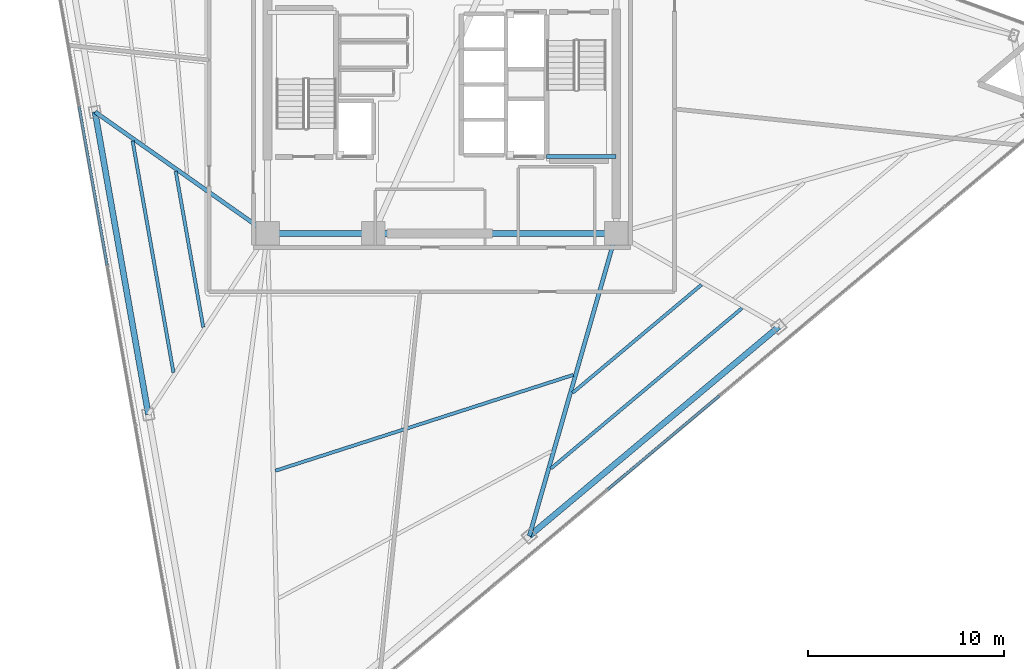
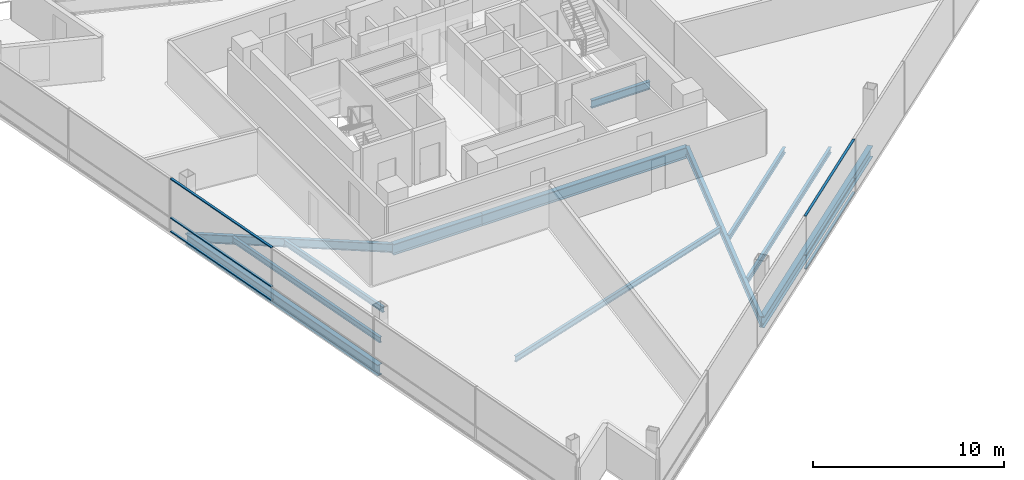
# One storey, part 3 of 17: 12 beams, 6 members, 2 elements without a shape of their own.
"""IFC4 building model written with IfcOpenShell, lengths in metres."""

import ifcopenshell
import ifcopenshell.guid

model = None  # the IFC model being written
_history = None  # IfcOwnerHistory: only IFC2X3 demands one
_inside = {}  # id of a spatial element -> (the spatial element, [elements in it])
_under = {}  # id of a project, library or spatial element -> (it, [spatial elements below it])
_declared = {}  # id of a project -> (the project, [libraries it declares])
_typed = {}  # id of a type object -> (the type object, [elements of that type])
_made_of = {}  # id of a material, layer set ... -> (it, [elements and type objects made of it])


def new_model(schema):
    """Start an empty IFC model of exactly this schema.

    Asked for "IFC4X3", IfcOpenShell would pick the latest addendum, in which some entities
    have other attributes; the version numbers below select the first issue.
    IFC2X3 requires an IfcOwnerHistory on every rooted entity: one is made here for all.
    """
    global model, _history
    if schema == "IFC4X3":
        model = ifcopenshell.file(schema_version=(4, 3, 0, 0))
    else:
        model = ifcopenshell.file(schema=schema)
    _inside.clear()
    _under.clear()
    _declared.clear()
    _typed.clear()
    _made_of.clear()
    _history = None
    if model.schema == "IFC2X3":
        org = make("IfcOrganization", Name="unknown")
        user = make(
            "IfcPersonAndOrganization",
            ThePerson=make("IfcPerson", FamilyName="unknown"),
            TheOrganization=org,
        )
        app = make(
            "IfcApplication",
            ApplicationDeveloper=org,
            Version="unknown",
            ApplicationFullName="unknown",
            ApplicationIdentifier="unknown",
        )
        _history = make(
            "IfcOwnerHistory",
            OwningUser=user,
            OwningApplication=app,
            ChangeAction="ADDED",
            CreationDate=0,
        )
    return model


def make(cls, **values):
    """One entity of the class cls with the attributes given. An attribute that is None is left unset."""
    return model.create_entity(
        cls, **{name: value for name, value in values.items() if value is not None}
    )


def rooted(cls, **values):
    """An entity with a GlobalId (a new one), such as an element, a storey or a relation."""
    return make(cls, GlobalId=ifcopenshell.guid.new(), OwnerHistory=_history, **values)


def si_unit(unit_type, name, prefix=None):
    """IfcSIUnit, for example si_unit("LENGTHUNIT", "METRE", prefix="MILLI")."""
    return make("IfcSIUnit", UnitType=unit_type, Prefix=prefix, Name=name)


def assignment(units):
    """IfcUnitAssignment: the units of a project."""
    return None if units is None else make("IfcUnitAssignment", Units=units)


def point(xyz):
    """IfcCartesianPoint."""
    return None if xyz is None else make("IfcCartesianPoint", Coordinates=xyz)


def direction(xyz):
    """IfcDirection."""
    return None if xyz is None else make("IfcDirection", DirectionRatios=xyz)


def frame(location, z_axis=None, x_axis=None):
    """IfcAxis2Placement3D, a coordinate frame: its origin and axes. An axis left out is left unset."""
    return make(
        "IfcAxis2Placement3D",
        Location=point(location),
        Axis=direction(z_axis),
        RefDirection=direction(x_axis),
    )


def frame_2d(location, x_axis=None):
    """IfcAxis2Placement2D, a coordinate frame in the plane: its origin and x axis."""
    return make(
        "IfcAxis2Placement2D", Location=point(location), RefDirection=direction(x_axis)
    )


def origin():
    """The frame at (0, 0, 0) with its axes left unset."""
    return frame((0.0, 0.0, 0.0))


def origin_2d():
    """The frame at (0, 0) in the plane with its x axis left unset."""
    return frame_2d((0.0, 0.0))


def place(relative_to, where):
    """IfcLocalPlacement: puts the frame where relative to a parent placement (None: the world)."""
    return make(
        "IfcLocalPlacement", PlacementRelTo=relative_to, RelativePlacement=where
    )


def context(
    kind, dimensions, precision=None, world=None, true_north=None, identifier=None
):
    """IfcGeometricRepresentationContext, for example the 3D "Model" context."""
    return make(
        "IfcGeometricRepresentationContext",
        ContextIdentifier=identifier,
        ContextType=kind,
        CoordinateSpaceDimension=dimensions,
        Precision=precision,
        WorldCoordinateSystem=world,
        TrueNorth=true_north,
    )


def subcontext(parent, identifier, kind, view, scale=None):
    """IfcGeometricRepresentationSubContext, for example "Body" below "Model"."""
    return make(
        "IfcGeometricRepresentationSubContext",
        ContextIdentifier=identifier,
        ContextType=kind,
        ParentContext=parent,
        TargetScale=scale,
        TargetView=view,
    )


def project(units=None, contexts=None):
    """IfcProject with its units and contexts."""
    return rooted(
        "IfcProject",
        Name="project",
        RepresentationContexts=contexts,
        UnitsInContext=assignment(units),
    )


def spatial(cls, under=None, at=None, **own):
    """A site, building, storey or space (cls), placed at a placement, below another one or the project."""
    s = rooted(cls, ObjectPlacement=at, **own)
    if under is not None:
        _under.setdefault(under.id(), (under, []))[1].append(s)
    return s


def profile(cls, at=None, kind="AREA", **sizes):
    """A parametric profile (cls). Its sizes go by their IFC names, for example OverallWidth=200.0."""
    return make(cls, ProfileType=kind, Position=at, **sizes)


def rectangle(**sizes):
    """IfcRectangleProfileDef."""
    return profile("IfcRectangleProfileDef", **sizes)


def i_section(**sizes):
    """IfcIShapeProfileDef."""
    return profile("IfcIShapeProfileDef", **sizes)


def extrude(swept, where, along, depth):
    """IfcExtrudedAreaSolid: the profile swept, set in the frame where, extruded along a direction by depth."""
    return make(
        "IfcExtrudedAreaSolid",
        SweptArea=swept,
        Position=where,
        ExtrudedDirection=direction(along),
        Depth=depth,
    )


def shape(context_of_items, identifier, shape_type, items):
    """IfcShapeRepresentation: the items that make up one representation, for example the "Body"."""
    return make(
        "IfcShapeRepresentation",
        ContextOfItems=context_of_items,
        RepresentationIdentifier=identifier,
        RepresentationType=shape_type,
        Items=items,
    )


def material(Name=None, Category=None):
    """IfcMaterial."""
    return make("IfcMaterial", Name=Name, Category=Category)


def layer(
    of_material, thickness, ventilated=None, Name=None, Category=None, Priority=None
):
    """IfcMaterialLayer: one layer of a wall or slab, of a material (None: an air gap)."""
    return make(
        "IfcMaterialLayer",
        Material=of_material,
        LayerThickness=thickness,
        IsVentilated=ventilated,
        Name=Name,
        Category=Category,
        Priority=Priority,
    )


def layer_set(layers, Name=None):
    """IfcMaterialLayerSet."""
    return make("IfcMaterialLayerSet", MaterialLayers=layers, LayerSetName=Name)


def material_profile(
    of_material, cross_section, Name=None, Category=None, Priority=None
):
    """IfcMaterialProfile: a cross section and its material."""
    return make(
        "IfcMaterialProfile",
        Name=Name,
        Material=of_material,
        Profile=cross_section,
        Priority=Priority,
        Category=Category,
    )


def profile_set(profiles, Name=None, composite=None):
    """IfcMaterialProfileSet."""
    return make(
        "IfcMaterialProfileSet",
        Name=Name,
        MaterialProfiles=profiles,
        CompositeProfile=composite,
    )


def made_of(thing, what):
    """Note that an element or type object is made of a material, layer set ...; save() writes the relation."""
    if what is not None:
        _made_of.setdefault(what.id(), (what, []))[1].append(thing)
    return thing


def type_object(cls, material=None, **own):
    """A type object (cls), such as IfcWallType, which elements share."""
    return made_of(rooted(cls, **own), material)


def element(
    cls,
    number,
    at=None,
    inside=None,
    cuts=None,
    type_object=None,
    material=None,
    context=None,
    identifier="Body",
    shape_type=None,
    held_by="IfcProductDefinitionShape",
    body=None,
    shapes=None,
    **own,
):
    """One element of the class cls, such as IfcWall. Its Tag is "e" and its number.

    at: its placement. inside: the storey or other place that contains it. cuts: it is an
    opening in that element (IfcRelVoidsElement). A single representation is given by context,
    identifier, shape_type and body (its items); several are given by shapes. held_by: the class
    of the entity that holds the representations. save() writes the other relations.
    """
    e = rooted(cls, Tag="e%d" % number, ObjectPlacement=at, **own)
    if body is not None:
        shapes = [shape(context, identifier, shape_type, body)]
    if shapes is not None:
        e.Representation = make(held_by, Representations=shapes)
    if inside is not None:
        _inside.setdefault(inside.id(), (inside, []))[1].append(e)
    if cuts is not None:
        rooted(
            "IfcRelVoidsElement", RelatingBuildingElement=cuts, RelatedOpeningElement=e
        )
    if type_object is not None:
        _typed.setdefault(type_object.id(), (type_object, []))[1].append(e)
    return made_of(e, material)


def aggregate(whole, parts):
    """IfcRelAggregates: a whole, such as a stair, and the parts it consists of."""
    return rooted("IfcRelAggregates", RelatingObject=whole, RelatedObjects=parts)


def save(model, path):
    """Write the relations noted so far, then the file.

    IfcRelAggregates (storeys below a building ...), IfcRelContainedInSpatialStructure (elements
    in a storey), IfcRelDefinesByType, IfcRelAssociatesMaterial and IfcRelDeclares: one each for
    every whole, place, type object, material and project.
    """
    for whole, parts in _under.values():
        aggregate(whole, parts)
    for where, things in _inside.values():
        rooted(
            "IfcRelContainedInSpatialStructure",
            RelatedElements=things,
            RelatingStructure=where,
        )
    for kind, things in _typed.values():
        rooted("IfcRelDefinesByType", RelatedObjects=things, RelatingType=kind)
    for what, things in _made_of.values():
        rooted("IfcRelAssociatesMaterial", RelatedObjects=things, RelatingMaterial=what)
    for by, libraries in _declared.values():
        rooted("IfcRelDeclares", RelatingContext=by, RelatedDefinitions=libraries)
    model.write(path)


model = new_model("IFC4")

# Units and contexts
model_context = context("Model", 3, precision=1e-05, world=origin(), true_north=direction((0.0, 1.0)))
body_context = subcontext(model_context, "Body", "Model", "MODEL_VIEW")
ifc_project = project(units=[si_unit("LENGTHUNIT", "METRE"), si_unit("AREAUNIT", "SQUARE_METRE"), si_unit("VOLUMEUNIT", "CUBIC_METRE"), si_unit("PLANEANGLEUNIT", "RADIAN"), si_unit("MASSUNIT", "GRAM", prefix="KILO")], contexts=[model_context])

# Site, building, storey
site_placement = place(None, origin())
site = spatial("IfcSite", under=ifc_project, at=site_placement, CompositionType="ELEMENT")
building_placement = place(site_placement, origin())
building = spatial("IfcBuilding", under=site, at=building_placement, Name="Tharavind Bronze Gate", CompositionType="ELEMENT")
storey_placement = place(building_placement, frame((0.0, 0.0, 184.89990234375)))
storey = spatial("IfcBuildingStorey", under=building, at=storey_placement, Name="L47", CompositionType="ELEMENT", Elevation=184.89990234375)

# Curtain wall, members
ifc_material_1 = material(Name="Anodised Bronze Aluminium", Category="aluminium")
ifc_layer = layer(ifc_material_1, 0.219970703125)
ifc_layer_set = layer_set([ifc_layer], Name="Anodised Bronze Aluminium")
curtain_wall_type = type_object("IfcCurtainWallType", Name="UNITISED CURTAIN WALL MID OFFICE", PredefinedType="USERDEFINED", material=ifc_layer_set)
curtain_wall_1_placement = place(storey_placement, origin())
curtain_wall_1 = element("IfcCurtainWall", 1, at=curtain_wall_1_placement, inside=storey, type_object=curtain_wall_type, Name="L47 unitised curtain wall mid office CW-L47-S1", ObjectType="UNITISED CURTAIN WALL", PredefinedType="USERDEFINED")
member_type = type_object("IfcMemberType", Name="CURTAIN WALL BRONZE TRANSOM 65X140", PredefinedType="USERDEFINED", material=ifc_material_1)
member_1_placement = place(storey_placement, frame((-17.80517578125, -5.177001953125, 0.000244140625), z_axis=(0.0, 0.0, 1.0), x_axis=(0.173648177667, -0.984807753012, 0.0)))
member_1 = element("IfcMember", 2, at=member_1_placement, type_object=member_type, Name="CW-L47-S1 transom TB3", ObjectType="TRANSOM", PredefinedType="USERDEFINED", context=body_context, shape_type="SweptSolid", body=[
    extrude(rectangle(XDim=8.220458984375, YDim=0.139892578125, at=origin_2d()), origin(), (0.0, 0.0, 1.0), 0.06494140625),
])
member_2_placement = place(storey_placement, frame((-17.80517578125, -5.177001953125, 0.86767578125), z_axis=(0.0, 0.0, 1.0), x_axis=(0.173648177667, -0.984807753012, 0.0)))
member_2 = element("IfcMember", 3, at=member_2_placement, type_object=member_type, Name="CW-L47-S1 transom TS3", ObjectType="TRANSOM", PredefinedType="USERDEFINED", context=body_context, shape_type="SweptSolid", body=[
    extrude(rectangle(XDim=8.220458984375, YDim=0.139892578125, at=origin_2d()), origin(), (0.0, 0.0, 1.0), 0.06494140625),
])
member_3_placement = place(storey_placement, frame((-17.80517578125, -5.177001953125, 3.355224609375), z_axis=(0.0, 0.0, 1.0), x_axis=(0.173648177667, -0.984807753012, 0.0)))
member_3 = element("IfcMember", 4, at=member_3_placement, type_object=member_type, Name="CW-L47-S1 transom TT3", ObjectType="TRANSOM", PredefinedType="USERDEFINED", context=body_context, shape_type="SweptSolid", body=[
    extrude(rectangle(XDim=8.220458984375, YDim=0.139892578125, at=origin_2d()), origin(), (0.0, 0.0, 1.0), 0.06494140625),
])
aggregate(curtain_wall_1, [member_1, member_2, member_3])

curtain_wall_2_placement = place(storey_placement, origin())
curtain_wall_2 = element("IfcCurtainWall", 5, at=curtain_wall_2_placement, inside=storey, type_object=curtain_wall_type, Name="L47 unitised curtain wall mid office CW-L47-S2", ObjectType="UNITISED CURTAIN WALL", PredefinedType="USERDEFINED")
member_4_placement = place(storey_placement, frame((11.31298828125, -18.282470703125, 0.000244140625), z_axis=(0.0, 0.0, 1.0), x_axis=(0.766043321242, 0.642788946685, 0.0)))
member_4 = element("IfcMember", 6, at=member_4_placement, type_object=member_type, Name="CW-L47-S2 transom TB4", ObjectType="TRANSOM", PredefinedType="USERDEFINED", context=body_context, shape_type="SweptSolid", body=[
    extrude(rectangle(XDim=7.443115234375, YDim=0.139892578125, at=origin_2d()), origin(), (0.0, 0.0, 1.0), 0.06494140625),
])
member_5_placement = place(storey_placement, frame((11.31298828125, -18.282470703125, 0.86767578125), z_axis=(0.0, 0.0, 1.0), x_axis=(0.766043321242, 0.642788946685, 0.0)))
member_5 = element("IfcMember", 7, at=member_5_placement, type_object=member_type, Name="CW-L47-S2 transom TS4", ObjectType="TRANSOM", PredefinedType="USERDEFINED", context=body_context, shape_type="SweptSolid", body=[
    extrude(rectangle(XDim=7.443115234375, YDim=0.139892578125, at=origin_2d()), origin(), (0.0, 0.0, 1.0), 0.06494140625),
])
member_6_placement = place(storey_placement, frame((11.31298828125, -18.282470703125, 3.355224609375), z_axis=(0.0, 0.0, 1.0), x_axis=(0.766043321242, 0.642788946685, 0.0)))
member_6 = element("IfcMember", 8, at=member_6_placement, type_object=member_type, Name="CW-L47-S2 transom TT4", ObjectType="TRANSOM", PredefinedType="USERDEFINED", context=body_context, shape_type="SweptSolid", body=[
    extrude(rectangle(XDim=7.443115234375, YDim=0.139892578125, at=origin_2d()), origin(), (0.0, 0.0, 1.0), 0.06494140625),
])
aggregate(curtain_wall_2, [member_4, member_5, member_6])

# Beams
ifc_material_2 = material(Name="Steel S355", Category="steel")
ifc_material_profile_1 = material_profile(ifc_material_2, i_section(OverallWidth=0.199951171875, OverallDepth=0.5, WebThickness=0.01025390625, FlangeThickness=0.01611328125, at=origin_2d()), Name="IPE500")
ifc_profile_set_1 = profile_set([ifc_material_profile_1], Name="Steel S355")
beam_type_1 = type_object("IfcBeamType", Name="PRIMARY GIRDER IPE500", PredefinedType="USERDEFINED", material=ifc_profile_set_1)
beam_1_placement = place(storey_placement, frame((5.35009765625, -3.679931640625, 1.35009765625), z_axis=(1.0, 0.0, 0.0), x_axis=(0.0, 1.0, 0.0)))
element("IfcBeam", 9, at=beam_1_placement, inside=storey, type_object=beam_type_1, Name="L47 primary girder ipe500 BM-LD-ST2-L47-1", ObjectType="GIRDER", PredefinedType="USERDEFINED", context=body_context, shape_type="SweptSolid", body=[
    extrude(i_section(OverallWidth=0.199951171875, OverallDepth=0.5, WebThickness=0.01025390625, FlangeThickness=0.01611328125, at=origin_2d()), origin(), (0.0, 0.0, 1.0), 3.5498046875),
])
ifc_material_profile_2 = material_profile(ifc_material_2, i_section(OverallWidth=0.2099609375, OverallDepth=0.550048828125, WebThickness=0.010986328125, FlangeThickness=0.01708984375, at=origin_2d()), Name="IPE550")
ifc_profile_set_2 = profile_set([ifc_material_profile_2], Name="Steel S355")
beam_type_2 = type_object("IfcBeamType", Name="PRIMARY GIRDER IPE550", PredefinedType="USERDEFINED", material=ifc_profile_set_2)
beam_2_placement = place(storey_placement, frame((-17.709716796875, -1.3994140625, -0.454833984375), z_axis=(0.817754667857, -0.575566940675, 0.0), x_axis=(0.575566940675, 0.817754667857, 0.0)))
element("IfcBeam", 10, at=beam_2_placement, inside=storey, type_object=beam_type_2, Name="L47 primary girder ipe550 BM-L47-RAD02", ObjectType="GIRDER", PredefinedType="USERDEFINED", context=body_context, shape_type="SweptSolid", body=[
    extrude(i_section(OverallWidth=0.2099609375, OverallDepth=0.550048828125, WebThickness=0.010986328125, FlangeThickness=0.01708984375, at=origin_2d()), origin(), (0.0, 0.0, 1.0), 10.773193359375),
])
beam_3_placement = place(storey_placement, frame((4.46337890625, -23.05078125, -0.454833984375), z_axis=(0.275988621834, 0.961160902564, 0.0), x_axis=(-0.961160902564, 0.275988621834, 0.0)))
element("IfcBeam", 11, at=beam_3_placement, inside=storey, type_object=beam_type_2, Name="L47 primary girder ipe550 BM-L47-RAD06", ObjectType="GIRDER", PredefinedType="USERDEFINED", context=body_context, shape_type="SweptSolid", body=[
    extrude(i_section(OverallWidth=0.2099609375, OverallDepth=0.550048828125, WebThickness=0.010986328125, FlangeThickness=0.01708984375, at=origin_2d()), origin(), (0.0, 0.0, 1.0), 16.074951171875),
])
ifc_material_profile_3 = material_profile(ifc_material_2, i_section(OverallWidth=0.300048828125, OverallDepth=0.699951171875, WebThickness=0.01708984375, FlangeThickness=0.031982421875, at=origin_2d()), Name="HE700B")
ifc_profile_set_3 = profile_set([ifc_material_profile_3], Name="Steel S355")
beam_type_3 = type_object("IfcBeamType", Name="RING GIRDER HE700B", PredefinedType="USERDEFINED", material=ifc_profile_set_3)
beam_4_placement = place(storey_placement, frame((-8.89990234375, -7.60009765625, -0.52978515625), z_axis=(1.0, 0.0, 0.0), x_axis=(0.0, 1.0, 0.0)))
element("IfcBeam", 12, at=beam_4_placement, inside=storey, type_object=beam_type_3, Name="L47 ring girder he700b BM-L47-CR1", ObjectType="GIRDER", PredefinedType="USERDEFINED", context=body_context, shape_type="SweptSolid", body=[
    extrude(i_section(OverallWidth=0.300048828125, OverallDepth=0.699951171875, WebThickness=0.01708984375, FlangeThickness=0.031982421875, at=origin_2d()), origin(), (0.0, 0.0, 1.0), 5.39990234375),
])
beam_5_placement = place(storey_placement, frame((-3.5, -7.60009765625, -0.52978515625), z_axis=(1.0, 0.0, 0.0), x_axis=(0.0, 1.0, 0.0)))
element("IfcBeam", 13, at=beam_5_placement, inside=storey, type_object=beam_type_3, Name="L47 ring girder he700b BM-L47-CR2", ObjectType="GIRDER", PredefinedType="USERDEFINED", context=body_context, shape_type="SweptSolid", body=[
    extrude(i_section(OverallWidth=0.300048828125, OverallDepth=0.699951171875, WebThickness=0.01708984375, FlangeThickness=0.031982421875, at=origin_2d()), origin(), (0.0, 0.0, 1.0), 12.39990234375),
])
beam_6_placement = place(storey_placement, frame((-17.709716796875, -1.3994140625, -0.52978515625), z_axis=(0.173647661488, -0.984807844028, 0.0), x_axis=(0.984807844028, 0.173647661488, 0.0)))
element("IfcBeam", 14, at=beam_6_placement, inside=storey, type_object=beam_type_3, Name="L47 ring girder he700b BM-L47-PRG02", ObjectType="GIRDER", PredefinedType="USERDEFINED", context=body_context, shape_type="SweptSolid", body=[
    extrude(i_section(OverallWidth=0.300048828125, OverallDepth=0.699951171875, WebThickness=0.01708984375, FlangeThickness=0.031982421875, at=origin_2d()), origin(), (0.0, 0.0, 1.0), 15.6806640625),
])
beam_7_placement = place(storey_placement, frame((4.46337890625, -23.05078125, -0.52978515625), z_axis=(0.766044110924, 0.642788005581, 0.0), x_axis=(-0.642788005581, 0.766044110924, 0.0)))
element("IfcBeam", 15, at=beam_7_placement, inside=storey, type_object=beam_type_3, Name="L47 ring girder he700b BM-L47-PRG06", ObjectType="GIRDER", PredefinedType="USERDEFINED", context=body_context, shape_type="SweptSolid", body=[
    extrude(i_section(OverallWidth=0.300048828125, OverallDepth=0.699951171875, WebThickness=0.01708984375, FlangeThickness=0.031982421875, at=origin_2d()), origin(), (0.0, 0.0, 1.0), 16.62451171875),
])
ifc_material_profile_4 = material_profile(ifc_material_2, i_section(OverallWidth=0.169921875, OverallDepth=0.360107421875, WebThickness=0.008056640625, FlangeThickness=0.0126953125, at=origin_2d()), Name="IPE360")
ifc_profile_set_4 = profile_set([ifc_material_profile_4], Name="Steel S355")
beam_type_4 = type_object("IfcBeamType", Name="SECONDARY FLOOR JOIST IPE360", PredefinedType="JOIST", material=ifc_profile_set_4)
beam_8_placement = place(storey_placement, frame((-13.586669921875, -4.43310546875, -0.35986328125), z_axis=(0.173657771601, -0.984806061295, 0.0), x_axis=(0.984806061295, 0.173657771601, 0.0)))
element("IfcBeam", 16, at=beam_8_placement, inside=storey, type_object=beam_type_4, Name="L47 secondary floor joist ipe360 BM-L47-JSTA02", PredefinedType="JOIST", context=body_context, shape_type="SweptSolid", body=[
    extrude(i_section(OverallWidth=0.169921875, OverallDepth=0.360107421875, WebThickness=0.008056640625, FlangeThickness=0.0126953125, at=origin_2d()), origin(), (0.0, 0.0, 1.0), 8.07958984375),
])
beam_9_placement = place(storey_placement, frame((-15.7890625, -2.883056640625, -0.35986328125), z_axis=(0.173653015137, -0.984806900023, 0.0), x_axis=(0.984806900023, 0.173653015137, 0.0)))
element("IfcBeam", 17, at=beam_9_placement, inside=storey, type_object=beam_type_4, Name="L47 secondary floor joist ipe360 BM-L47-JSTB02", PredefinedType="JOIST", context=body_context, shape_type="SweptSolid", body=[
    extrude(i_section(OverallWidth=0.169921875, OverallDepth=0.360107421875, WebThickness=0.008056640625, FlangeThickness=0.0126953125, at=origin_2d()), origin(), (0.0, 0.0, 1.0), 11.99951171875),
])
beam_10_placement = place(storey_placement, frame((-8.5, -19.718994140625, -0.35986328125), z_axis=(0.951947780182, 0.306260385629, 0.0), x_axis=(-0.306260385629, 0.951947780182, 0.0)))
element("IfcBeam", 18, at=beam_10_placement, inside=storey, type_object=beam_type_4, Name="L47 secondary floor joist ipe360 BM-L47-JSTA05", PredefinedType="JOIST", context=body_context, shape_type="SweptSolid", body=[
    extrude(i_section(OverallWidth=0.169921875, OverallDepth=0.360107421875, WebThickness=0.008056640625, FlangeThickness=0.0126953125, at=origin_2d()), origin(), (0.0, 0.0, 1.0), 15.980712890625),
])
beam_11_placement = place(storey_placement, frame((6.67333984375, -15.742919921875, -0.35986328125), z_axis=(0.766044754816, 0.64278723822, 0.0), x_axis=(-0.64278723822, 0.766044754816, 0.0)))
element("IfcBeam", 19, at=beam_11_placement, inside=storey, type_object=beam_type_4, Name="L47 secondary floor joist ipe360 BM-L47-JSTA06", PredefinedType="JOIST", context=body_context, shape_type="SweptSolid", body=[
    extrude(i_section(OverallWidth=0.169921875, OverallDepth=0.360107421875, WebThickness=0.008056640625, FlangeThickness=0.0126953125, at=origin_2d()), origin(), (0.0, 0.0, 1.0), 8.58642578125),
])
beam_12_placement = place(storey_placement, frame((5.564208984375, -19.605712890625, -0.35986328125), z_axis=(0.766041806797, 0.64279075152, 0.0), x_axis=(-0.64279075152, 0.766041806797, 0.0)))
element("IfcBeam", 20, at=beam_12_placement, inside=storey, type_object=beam_type_4, Name="L47 secondary floor joist ipe360 BM-L47-JSTB06", PredefinedType="JOIST", context=body_context, shape_type="SweptSolid", body=[
    extrude(i_section(OverallWidth=0.169921875, OverallDepth=0.360107421875, WebThickness=0.008056640625, FlangeThickness=0.0126953125, at=origin_2d()), origin(), (0.0, 0.0, 1.0), 12.74267578125),
])

save(model, "model.ifc")
